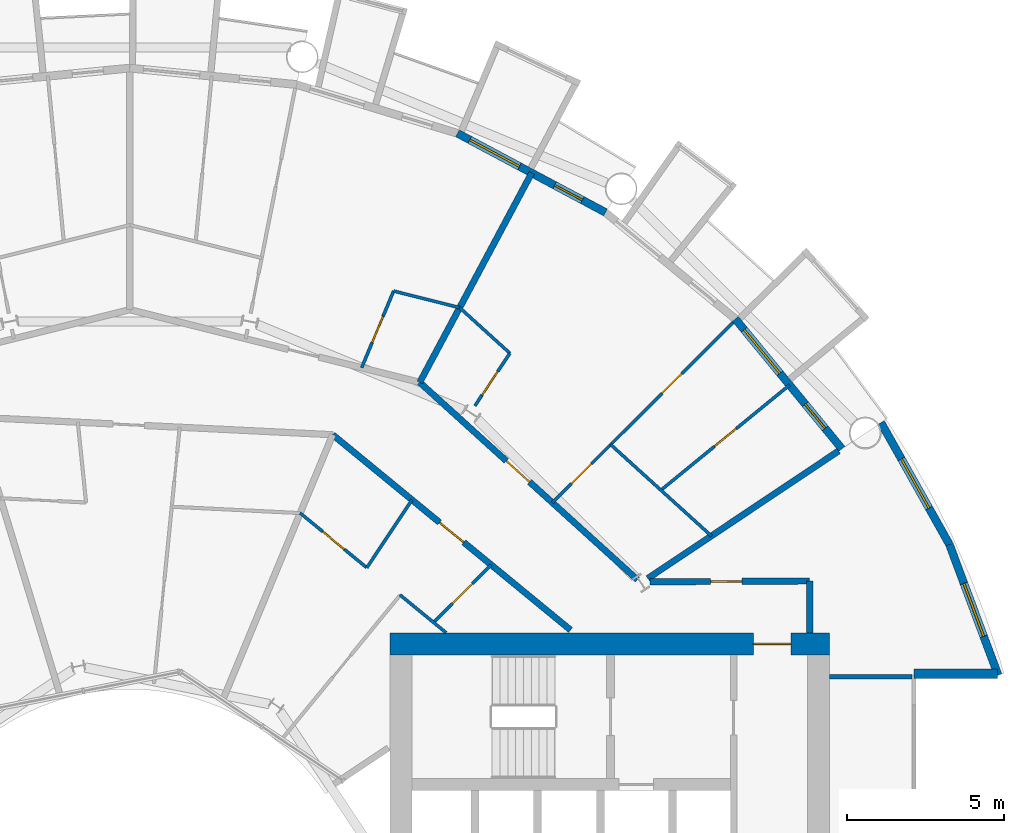
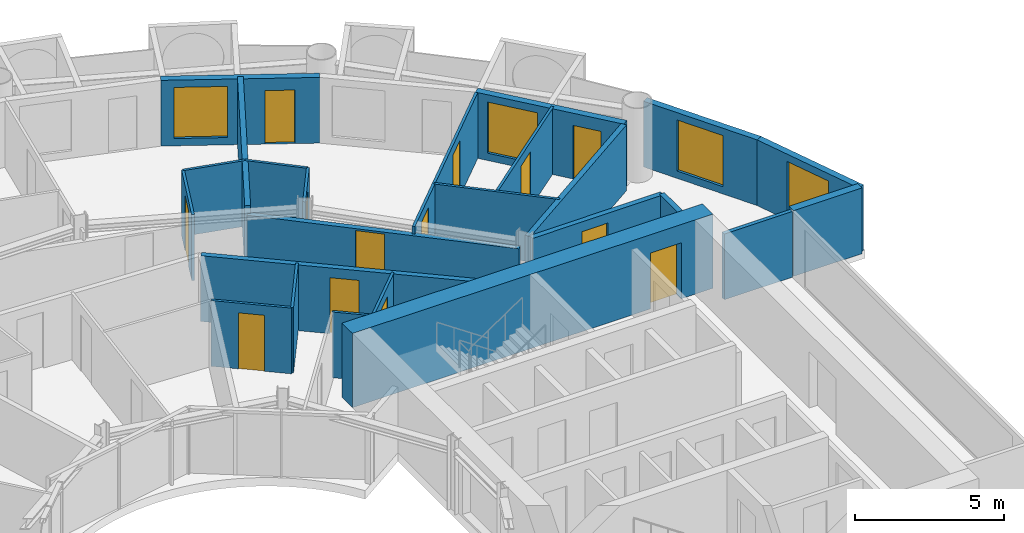
# One storey, part 21 of 26: 24 walls, 13 doors, 4 windows, 17 openings.
"""IFC4 building model written with IfcOpenShell, lengths in metres."""

from ifc_helpers import new_model, si_unit, direction, frame, frame_2d, origin, place, context, subcontext, project, spatial, rectangle, extrude, material, layer, layer_set, type_object, element, fill, save


model = new_model("IFC4")

# Units and contexts
model_context = context("Model", 3, precision=1e-05, world=origin(), true_north=direction((0.0, 1.0)))
body_context = subcontext(model_context, "Body", "Model", "MODEL_VIEW")
ifc_project = project(units=[si_unit("LENGTHUNIT", "METRE"), si_unit("AREAUNIT", "SQUARE_METRE"), si_unit("VOLUMEUNIT", "CUBIC_METRE"), si_unit("PLANEANGLEUNIT", "RADIAN"), si_unit("MASSUNIT", "GRAM", prefix="KILO")], contexts=[model_context])

# Site, building, storey
site_placement = place(None, origin())
site = spatial("IfcSite", under=ifc_project, at=site_placement, CompositionType="ELEMENT")
building_placement = place(site_placement, origin())
building = spatial("IfcBuilding", under=site, at=building_placement, Name="Maasbend Ring Residences", CompositionType="ELEMENT")
storey_placement = place(building_placement, frame((0.0, 0.0, 81.89990234375)))
storey = spatial("IfcBuildingStorey", under=building, at=storey_placement, Name="L23", CompositionType="ELEMENT", Elevation=81.89990234375)

# Wall, opening, door
ifc_material_1 = material(Name="Concrete C70/85", Category="concrete")
ifc_layer_1 = layer(ifc_material_1, 0.699951171875)
ifc_layer_set_1 = layer_set([ifc_layer_1], Name="Concrete C70/85")
wall_type_1 = type_object("IfcWallType", Name="CORE WALL 700 C70/85", PredefinedType="SHEAR", material=ifc_layer_set_1)
wall_1_placement = place(storey_placement, frame((22.300048828125, 8.949951171875, 0.0), z_axis=(0.0, 0.0, 1.0), x_axis=(-1.0, 0.0, 0.0)))
wall_1 = element("IfcWall", 1, at=wall_1_placement, inside=storey, type_object=wall_type_1, Name="L23 core E wall PN", PredefinedType="SHEAR", context=body_context, shape_type="SweptSolid", body=[
    extrude(rectangle(XDim=14.0, YDim=0.699951171875, at=frame_2d((7.0, 0.0))), origin(), (0.0, 0.0, 1.0), 3.050048828125),
])
opening_1_placement = place(wall_1_placement, frame((1.22509765625, 0.0, 0.0)))
opening_1 = element("IfcOpeningElement", 2, at=opening_1_placement, cuts=wall_1, Name="Opening D-E2315", PredefinedType="OPENING", context=body_context, shape_type="SweptSolid", body=[
    extrude(rectangle(XDim=1.199951171875, YDim=2.300048828125, at=frame_2d((0.60009765625, 1.14990234375))), frame((0.0, 0.35986328125, 0.0), z_axis=(0.0, -1.0, 0.0), x_axis=(1.0, 0.0, 0.0)), (0.0, 0.0, 1.0), 0.719970703125),
])
ifc_material_2 = material(Name="Steel, powder coated", Category="steel")
door_type_1 = type_object("IfcDoorType", Name="CORRIDOR DOOR 1200 X 2300 FD30S", OperationType="NOTDEFINED", PredefinedType="DOOR", material=ifc_material_2)
door_1_placement = place(opening_1_placement, origin())
door_1 = element("IfcDoor", 3, at=door_1_placement, inside=storey, type_object=door_type_1, Name="Corridor door L23", OperationType="SINGLE_SWING_RIGHT", OverallHeight=2.300048828125, OverallWidth=1.199951171875, PredefinedType="DOOR", context=body_context, shape_type="SweptSolid", body=[
    extrude(rectangle(XDim=1.199951171875, YDim=2.300048828125, at=frame_2d((0.60009765625, 1.14990234375))), frame((0.0, 0.02490234375, 0.0), z_axis=(0.0, -1.0, 0.0), x_axis=(1.0, 0.0, 0.0)), (0.0, 0.0, 1.0), 0.050048828125),
])
fill(opening_1, door_1)

# Wall
ifc_material_3 = material(Name="Concrete C30/37", Category="concrete")
ifc_layer_2 = layer(ifc_material_3, 0.199951171875)
ifc_layer_set_2 = layer_set([ifc_layer_2], Name="Concrete C30/37")
wall_type_2 = type_object("IfcWallType", Name="CORRIDOR WALL 200 CONCRETE", PredefinedType="PARTITIONING", material=ifc_layer_set_2)
wall_2_placement = place(storey_placement, frame((21.675048828125, 9.300048828125, 0.0), z_axis=(0.0, 0.0, 1.0), x_axis=(0.0, 1.0, 0.0)))
element("IfcWall", 4, at=wall_2_placement, inside=storey, type_object=wall_type_2, Name="U-L23-w002", PredefinedType="PARTITIONING", context=body_context, shape_type="SweptSolid", body=[
    extrude(rectangle(XDim=1.64990234375, YDim=0.199951171875, at=frame_2d((0.824951171875, 0.0))), origin(), (0.0, 0.0, 1.0), 2.7001953125),
])

# Wall, opening, door
wall_3_placement = place(storey_placement, frame((16.587890625, 10.925048828125, 0.0), z_axis=(0.0, 0.0, 1.0), x_axis=(0.999988019025, 0.004895079807, 0.0)))
wall_3 = element("IfcWall", 5, at=wall_3_placement, inside=storey, type_object=wall_type_2, Name="U-L23-w085", PredefinedType="PARTITIONING", context=body_context, shape_type="SweptSolid", body=[
    extrude(rectangle(XDim=5.087158203125, YDim=0.199951171875, at=frame_2d((2.54345703125, 0.0))), origin(), (0.0, 0.0, 1.0), 2.7001953125),
])
opening_2_placement = place(wall_3_placement, frame((1.925048828125, 0.0, 0.0)))
opening_2 = element("IfcOpeningElement", 6, at=opening_2_placement, cuts=wall_3, Name="Opening D-2368", PredefinedType="OPENING", context=body_context, shape_type="SweptSolid", body=[
    extrude(rectangle(XDim=1.0, YDim=2.300048828125, at=frame_2d((0.5, 1.14990234375))), frame((0.0, 0.10986328125, 0.0), z_axis=(0.0, -1.0, 0.0), x_axis=(1.0, 0.0, 0.0)), (0.0, 0.0, 1.0), 0.219970703125),
])
ifc_material_4 = material(Name="Timber, painted", Category="wood")
door_type_2 = type_object("IfcDoorType", Name="ROOM DOOR 1000 X 2300", OperationType="NOTDEFINED", PredefinedType="DOOR", material=ifc_material_4)
door_2_placement = place(opening_2_placement, origin())
door_2 = element("IfcDoor", 7, at=door_2_placement, inside=storey, type_object=door_type_2, Name="D-2368", OperationType="SINGLE_SWING_LEFT", OverallHeight=2.300048828125, OverallWidth=1.0, PredefinedType="DOOR", context=body_context, shape_type="SweptSolid", body=[
    extrude(rectangle(XDim=1.0, YDim=2.300048828125, at=frame_2d((0.5, 1.14990234375))), frame((0.0, 0.02490234375, 0.0), z_axis=(0.0, -1.0, 0.0), x_axis=(1.0, 0.0, 0.0)), (0.0, 0.0, 1.0), 0.050048828125),
])
fill(opening_2, door_2)

wall_4_placement = place(storey_placement, frame((6.469970703125, 15.613037109375, 0.0), z_axis=(0.0, 0.0, 1.0), x_axis=(0.77292501819, -0.634497372931, 0.0)))
wall_4 = element("IfcWall", 8, at=wall_4_placement, inside=storey, type_object=wall_type_2, Name="U-L23-w094", PredefinedType="PARTITIONING", context=body_context, shape_type="SweptSolid", body=[
    extrude(rectangle(XDim=9.8095703125, YDim=0.199951171875, at=frame_2d((4.90478515625, 0.0))), origin(), (0.0, 0.0, 1.0), 2.7001953125),
])
opening_3_placement = place(wall_4_placement, frame((4.404052734375, 0.0, 0.0)))
opening_3 = element("IfcOpeningElement", 9, at=opening_3_placement, cuts=wall_4, Name="Opening D-2321", PredefinedType="OPENING", context=body_context, shape_type="SweptSolid", body=[
    extrude(rectangle(XDim=1.0, YDim=2.300048828125, at=frame_2d((0.5, 1.14990234375))), frame((0.0, 0.10986328125, 0.0), z_axis=(0.0, -1.0, 0.0), x_axis=(1.0, 0.0, 0.0)), (0.0, 0.0, 1.0), 0.219970703125),
])
ifc_material_5 = material(Name="Timber, fire-rated, painted", Category="wood")
door_type_3 = type_object("IfcDoorType", Name="FLAT ENTRANCE DOOR 1000 X 2300 FIRE-RATED", OperationType="NOTDEFINED", PredefinedType="DOOR", material=ifc_material_5)
door_3_placement = place(opening_3_placement, origin())
door_3 = element("IfcDoor", 10, at=door_3_placement, inside=storey, type_object=door_type_3, Name="D-2321", OperationType="SINGLE_SWING_LEFT", OverallHeight=2.300048828125, OverallWidth=1.0, PredefinedType="DOOR", context=body_context, shape_type="SweptSolid", body=[
    extrude(rectangle(XDim=1.0, YDim=2.300048828125, at=frame_2d((0.5, 1.14990234375))), frame((0.0, 0.02490234375, 0.0), z_axis=(0.0, -1.0, 0.0), x_axis=(1.0, 0.0, 0.0)), (0.0, 0.0, 1.0), 0.050048828125),
])
fill(opening_3, door_3)

wall_5_placement = place(storey_placement, frame((9.239013671875, 17.285888671875, 0.0), z_axis=(0.0, 0.0, 1.0), x_axis=(0.740909940942, -0.671604392044, 0.0)))
wall_5 = element("IfcWall", 11, at=wall_5_placement, inside=storey, type_object=wall_type_2, Name="U-L23-w098", PredefinedType="PARTITIONING", context=body_context, shape_type="SweptSolid", body=[
    extrude(rectangle(XDim=9.36669921875, YDim=0.199951171875, at=frame_2d((4.683349609375, 0.0))), origin(), (0.0, 0.0, 1.0), 2.380126953125),
])
opening_4_placement = place(wall_5_placement, frame((3.73095703125, 0.0, 0.0)))
opening_4 = element("IfcOpeningElement", 12, at=opening_4_placement, cuts=wall_5, Name="Opening D-2301", PredefinedType="OPENING", context=body_context, shape_type="SweptSolid", body=[
    extrude(rectangle(XDim=1.0, YDim=2.300048828125, at=frame_2d((0.5, 1.14990234375))), frame((0.0, 0.10986328125, 0.0), z_axis=(0.0, -1.0, 0.0), x_axis=(1.0, 0.0, 0.0)), (0.0, 0.0, 1.0), 0.219970703125),
])
door_4_placement = place(opening_4_placement, origin())
door_4 = element("IfcDoor", 13, at=door_4_placement, inside=storey, type_object=door_type_3, Name="D-2301", OperationType="SINGLE_SWING_LEFT", OverallHeight=2.300048828125, OverallWidth=1.0, PredefinedType="DOOR", context=body_context, shape_type="SweptSolid", body=[
    extrude(rectangle(XDim=1.0, YDim=2.300048828125, at=frame_2d((0.5, 1.14990234375))), frame((0.0, 0.02490234375, 0.0), z_axis=(0.0, -1.0, 0.0), x_axis=(1.0, 0.0, 0.0)), (0.0, 0.0, 1.0), 0.050048828125),
])
fill(opening_4, door_4)

# Wall, openings, door, window
ifc_material_6 = material(Name="Aluminium clad insulated panel", Category="aluminium")
ifc_layer_3 = layer(ifc_material_6, 0.25)
ifc_layer_set_3 = layer_set([ifc_layer_3], Name="EW-GL")
wall_type_3 = type_object("IfcWallType", Name="EW-GL", PredefinedType="SOLIDWALL", material=ifc_layer_set_3)
wall_6_placement = place(storey_placement, frame((22.698974609375, 15.1669921875, 0.0), z_axis=(0.0, 0.0, 1.0), x_axis=(-0.634382322723, 0.773019449054, 0.0)))
wall_6 = element("IfcWall", 14, at=wall_6_placement, inside=storey, type_object=wall_type_3, Name="External wall N01", PredefinedType="SOLIDWALL", context=body_context, shape_type="SweptSolid", body=[
    extrude(rectangle(XDim=5.351806640625, YDim=0.25, at=frame_2d((2.67578125, 0.0))), origin(), (0.0, 0.0, 1.0), 2.7001953125),
])
opening_5_placement = place(wall_6_placement, frame((0.841064453125, 0.0, 0.0)))
opening_5 = element("IfcOpeningElement", 15, at=opening_5_placement, cuts=wall_6, Name="Opening D-LG", PredefinedType="OPENING", context=body_context, shape_type="SweptSolid", body=[
    extrude(rectangle(XDim=1.0, YDim=2.199951171875, at=frame_2d((0.5, 1.10009765625))), frame((0.0, 0.135009765625, 0.0), z_axis=(0.0, -1.0, 0.0), x_axis=(1.0, 0.0, 0.0)), (0.0, 0.0, 1.0), 0.27001953125),
])
opening_6_placement = place(wall_6_placement, frame((3.110595703125, 0.0, 0.300048828125)))
opening_6 = element("IfcOpeningElement", 16, at=opening_6_placement, cuts=wall_6, Name="Opening W-BX", PredefinedType="OPENING", context=body_context, shape_type="SweptSolid", body=[
    extrude(rectangle(XDim=1.800048828125, YDim=2.10009765625, at=frame_2d((0.89990234375, 1.050048828125))), frame((0.0, 0.135009765625, 0.0), z_axis=(0.0, -1.0, 0.0), x_axis=(1.0, 0.0, 0.0)), (0.0, 0.0, 1.0), 0.27001953125),
])
ifc_material_7 = material(Name="Aluminium and clear glass", Category="aluminium")
door_type_4 = type_object("IfcDoorType", Name="D-LG", OperationType="SINGLE_SWING_LEFT", PredefinedType="DOOR", material=ifc_material_7)
door_5_placement = place(opening_5_placement, origin())
door_5 = element("IfcDoor", 17, at=door_5_placement, inside=storey, type_object=door_type_4, Name="Loggia door N01", OperationType="SINGLE_SWING_LEFT", OverallHeight=2.199951171875, OverallWidth=1.0, PredefinedType="DOOR", context=body_context, shape_type="SweptSolid", body=[
    extrude(rectangle(XDim=1.0, YDim=2.199951171875, at=frame_2d((0.5, 1.10009765625))), frame((0.0, 0.02490234375, 0.0), z_axis=(0.0, -1.0, 0.0), x_axis=(1.0, 0.0, 0.0)), (0.0, 0.0, 1.0), 0.050048828125),
])
fill(opening_5, door_5)
ifc_material_8 = material(Name="Aluminium and clear glass", Category="aluminium")
window_type = type_object("IfcWindowType", Name="W-BX", PartitioningType="DOUBLE_PANEL_VERTICAL", PredefinedType="WINDOW", material=ifc_material_8)
window_1_placement = place(opening_6_placement, origin())
window_1 = element("IfcWindow", 18, at=window_1_placement, inside=storey, type_object=window_type, Name="Window N02 room to box", OverallHeight=2.10009765625, OverallWidth=1.800048828125, PartitioningType="SINGLE_PANEL", PredefinedType="WINDOW", context=body_context, shape_type="SweptSolid", body=[
    extrude(rectangle(XDim=1.800048828125, YDim=2.10009765625, at=frame_2d((0.89990234375, 1.050048828125))), frame((0.0, 0.030029296875, 0.0), z_axis=(0.0, -1.0, 0.0), x_axis=(1.0, 0.0, 0.0)), (0.0, 0.0, 1.0), 0.06005859375),
])
fill(opening_6, window_1)

wall_7_placement = place(storey_placement, frame((15.1669921875, 22.698974609375, 0.0), z_axis=(0.0, 0.0, 1.0), x_axis=(-0.881915646801, 0.471407246368, 0.0)))
wall_7 = element("IfcWall", 19, at=wall_7_placement, inside=storey, type_object=wall_type_3, Name="External wall N03", PredefinedType="SOLIDWALL", context=body_context, shape_type="SweptSolid", body=[
    extrude(rectangle(XDim=5.35205078125, YDim=0.25, at=frame_2d((2.676025390625, 0.0))), origin(), (0.0, 0.0, 1.0), 2.7001953125),
])
opening_7_placement = place(wall_7_placement, frame((0.841064453125, 0.0, 0.0)))
opening_7 = element("IfcOpeningElement", 20, at=opening_7_placement, cuts=wall_7, Name="Opening D-LG", PredefinedType="OPENING", context=body_context, shape_type="SweptSolid", body=[
    extrude(rectangle(XDim=1.0, YDim=2.199951171875, at=frame_2d((0.5, 1.10009765625))), frame((0.0, 0.135009765625, 0.0), z_axis=(0.0, -1.0, 0.0), x_axis=(1.0, 0.0, 0.0)), (0.0, 0.0, 1.0), 0.27001953125),
])
opening_8_placement = place(wall_7_placement, frame((3.110595703125, 0.0, 0.300048828125)))
opening_8 = element("IfcOpeningElement", 21, at=opening_8_placement, cuts=wall_7, Name="Opening W-BX", PredefinedType="OPENING", context=body_context, shape_type="SweptSolid", body=[
    extrude(rectangle(XDim=1.800048828125, YDim=2.10009765625, at=frame_2d((0.89990234375, 1.050048828125))), frame((0.0, 0.135009765625, 0.0), z_axis=(0.0, -1.0, 0.0), x_axis=(1.0, 0.0, 0.0)), (0.0, 0.0, 1.0), 0.27001953125),
])
door_6_placement = place(opening_7_placement, origin())
door_6 = element("IfcDoor", 22, at=door_6_placement, inside=storey, type_object=door_type_4, Name="Loggia door N05", OperationType="SINGLE_SWING_LEFT", OverallHeight=2.199951171875, OverallWidth=1.0, PredefinedType="DOOR", context=body_context, shape_type="SweptSolid", body=[
    extrude(rectangle(XDim=1.0, YDim=2.199951171875, at=frame_2d((0.5, 1.10009765625))), frame((0.0, 0.02490234375, 0.0), z_axis=(0.0, -1.0, 0.0), x_axis=(1.0, 0.0, 0.0)), (0.0, 0.0, 1.0), 0.050048828125),
])
fill(opening_7, door_6)
window_2_placement = place(opening_8_placement, origin())
window_2 = element("IfcWindow", 23, at=window_2_placement, inside=storey, type_object=window_type, Name="Window N06 room to box", OverallHeight=2.10009765625, OverallWidth=1.800048828125, PartitioningType="SINGLE_PANEL", PredefinedType="WINDOW", context=body_context, shape_type="SweptSolid", body=[
    extrude(rectangle(XDim=1.800048828125, YDim=2.10009765625, at=frame_2d((0.89990234375, 1.050048828125))), frame((0.0, 0.030029296875, 0.0), z_axis=(0.0, -1.0, 0.0), x_axis=(1.0, 0.0, 0.0)), (0.0, 0.0, 1.0), 0.06005859375),
])
fill(opening_8, window_2)

# Wall, opening, window
ifc_material_9 = material(Name="Aluminium clad insulated panel", Category="aluminium")
ifc_layer_4 = layer(ifc_material_9, 0.25)
ifc_layer_set_4 = layer_set([ifc_layer_4], Name="EW-HORN")
wall_type_4 = type_object("IfcWallType", Name="EW-HORN", PredefinedType="SOLIDWALL", material=ifc_layer_set_4)
wall_8_placement = place(storey_placement, frame((27.681884765625, 7.945068359375, 0.0), z_axis=(0.0, 0.0, 1.0), x_axis=(-0.349247811493, 0.937030397675, 0.0)))
wall_8 = element("IfcWall", 24, at=wall_8_placement, inside=storey, type_object=wall_type_4, Name="Horn wall 1.1", PredefinedType="SOLIDWALL", context=body_context, shape_type="SweptSolid", body=[
    extrude(rectangle(XDim=4.4521484375, YDim=0.25, at=frame_2d((2.22607421875, 0.0))), origin(), (0.0, 0.0, 1.0), 2.7001953125),
])
opening_9_placement = place(wall_8_placement, frame((1.32666015625, 0.0, 0.300048828125)))
opening_9 = element("IfcOpeningElement", 25, at=opening_9_placement, cuts=wall_8, Name="Opening W-BX", PredefinedType="OPENING", context=body_context, shape_type="SweptSolid", body=[
    extrude(rectangle(XDim=1.800048828125, YDim=2.10009765625, at=frame_2d((0.89990234375, 1.050048828125))), frame((0.0, 0.135009765625, 0.0), z_axis=(0.0, -1.0, 0.0), x_axis=(1.0, 0.0, 0.0)), (0.0, 0.0, 1.0), 0.27001953125),
])
window_3_placement = place(opening_9_placement, origin())
window_3 = element("IfcWindow", 26, at=window_3_placement, inside=storey, type_object=window_type, Name="Horn window 1.1", OverallHeight=2.10009765625, OverallWidth=1.800048828125, PartitioningType="SINGLE_PANEL", PredefinedType="WINDOW", context=body_context, shape_type="SweptSolid", body=[
    extrude(rectangle(XDim=1.800048828125, YDim=2.10009765625, at=frame_2d((0.89990234375, 1.050048828125))), frame((0.0, 0.030029296875, 0.0), z_axis=(0.0, -1.0, 0.0), x_axis=(1.0, 0.0, 0.0)), (0.0, 0.0, 1.0), 0.06005859375),
])
fill(opening_9, window_3)

wall_9_placement = place(storey_placement, frame((26.126953125, 12.116943359375, 0.0), z_axis=(0.0, 0.0, 1.0), x_axis=(-0.489696356642, 0.871893042919, 0.0)))
wall_9 = element("IfcWall", 27, at=wall_9_placement, inside=storey, type_object=wall_type_4, Name="Horn wall 1.2", PredefinedType="SOLIDWALL", context=body_context, shape_type="SweptSolid", body=[
    extrude(rectangle(XDim=4.45361328125, YDim=0.25, at=frame_2d((2.226806640625, 0.0))), origin(), (0.0, 0.0, 1.0), 2.7001953125),
])
opening_10_placement = place(wall_9_placement, frame((1.32666015625, 0.0, 0.300048828125)))
opening_10 = element("IfcOpeningElement", 28, at=opening_10_placement, cuts=wall_9, Name="Opening W-BX", PredefinedType="OPENING", context=body_context, shape_type="SweptSolid", body=[
    extrude(rectangle(XDim=1.800048828125, YDim=2.10009765625, at=frame_2d((0.89990234375, 1.050048828125))), frame((0.0, 0.135009765625, 0.0), z_axis=(0.0, -1.0, 0.0), x_axis=(1.0, 0.0, 0.0)), (0.0, 0.0, 1.0), 0.27001953125),
])
window_4_placement = place(opening_10_placement, origin())
window_4 = element("IfcWindow", 29, at=window_4_placement, inside=storey, type_object=window_type, Name="Horn window 1.2", OverallHeight=2.10009765625, OverallWidth=1.800048828125, PartitioningType="SINGLE_PANEL", PredefinedType="WINDOW", context=body_context, shape_type="SweptSolid", body=[
    extrude(rectangle(XDim=1.800048828125, YDim=2.10009765625, at=frame_2d((0.89990234375, 1.050048828125))), frame((0.0, 0.030029296875, 0.0), z_axis=(0.0, -1.0, 0.0), x_axis=(1.0, 0.0, 0.0)), (0.0, 0.0, 1.0), 0.06005859375),
])
fill(opening_10, window_4)

# Wall
ifc_material_10 = material(Name="Aluminium clad insulated panel", Category="aluminium")
ifc_layer_5 = layer(ifc_material_10, 0.300048828125)
ifc_layer_set_5 = layer_set([ifc_layer_5], Name="EW-RET")
wall_type_5 = type_object("IfcWallType", Name="EW-RET", PredefinedType="SOLIDWALL", material=ifc_layer_set_5)
wall_10_placement = place(storey_placement, frame((25.0, 8.0, 0.0), z_axis=(0.0, 0.0, 1.0), x_axis=(1.0, 0.0, 0.0)))
element("IfcWall", 30, at=wall_10_placement, inside=storey, type_object=wall_type_5, Name="Notch return wall east north", PredefinedType="SOLIDWALL", context=body_context, shape_type="SweptSolid", body=[
    extrude(rectangle(XDim=2.6669921875, YDim=0.300048828125, at=frame_2d((1.33349609375, 0.0))), origin(), (0.0, 0.0, 1.0), 2.7001953125),
])

# Wall, opening, door
ifc_material_11 = material(Name="Gypsum board on steel studs", Category="steel")
ifc_layer_6 = layer(ifc_material_11, 0.10009765625)
ifc_layer_set_6 = layer_set([ifc_layer_6], Name="PARTITION 100 GYPSUM")
wall_type_6 = type_object("IfcWallType", Name="PARTITION 100 GYPSUM", PredefinedType="PARTITIONING", material=ifc_layer_set_6)
wall_11_placement = place(storey_placement, frame((7.39208984375, 17.7490234375, 0.0), z_axis=(0.0, 0.0, 1.0), x_axis=(0.384438589316, 0.923150567917, 0.0)))
wall_11 = element("IfcWall", 31, at=wall_11_placement, inside=storey, type_object=wall_type_6, Name="U-L23-w066", PredefinedType="PARTITIONING", context=body_context, shape_type="SweptSolid", body=[
    extrude(rectangle(XDim=2.6474609375, YDim=0.10009765625, at=frame_2d((1.32373046875, 0.0))), origin(), (0.0, 0.0, 1.0), 2.7001953125),
])
opening_11_placement = place(wall_11_placement, frame((0.8740234375, 0.0, 0.0)))
opening_11 = element("IfcOpeningElement", 32, at=opening_11_placement, cuts=wall_11, Name="Opening D-2307", PredefinedType="OPENING", context=body_context, shape_type="SweptSolid", body=[
    extrude(rectangle(XDim=0.89990234375, YDim=2.300048828125, at=frame_2d((0.449951171875, 1.14990234375))), frame((0.0, 0.06005859375, 0.0), z_axis=(0.0, -1.0, 0.0), x_axis=(1.0, 0.0, 0.0)), (0.0, 0.0, 1.0), 0.1201171875),
])
ifc_material_12 = material(Name="Timber, painted", Category="wood")
door_type_5 = type_object("IfcDoorType", Name="INTERNAL DOOR 900 X 2300", OperationType="NOTDEFINED", PredefinedType="DOOR", material=ifc_material_12)
door_7_placement = place(opening_11_placement, origin())
door_7 = element("IfcDoor", 33, at=door_7_placement, inside=storey, type_object=door_type_5, Name="D-2307", OperationType="SINGLE_SWING_RIGHT", OverallHeight=2.300048828125, OverallWidth=0.89990234375, PredefinedType="DOOR", context=body_context, shape_type="SweptSolid", body=[
    extrude(rectangle(XDim=0.89990234375, YDim=2.300048828125, at=frame_2d((0.449951171875, 1.14990234375))), frame((0.0, 0.02490234375, 0.0), z_axis=(0.0, -1.0, 0.0), x_axis=(1.0, 0.0, 0.0)), (0.0, 0.0, 1.0), 0.050048828125),
])
fill(opening_11, door_7)

# Wall
wall_12_placement = place(storey_placement, frame((7.55810546875, 11.3759765625, 0.0), z_axis=(0.0, 0.0, 1.0), x_axis=(0.553615197403, 0.83277260594, 0.0)))
element("IfcWall", 34, at=wall_12_placement, inside=storey, type_object=wall_type_6, Name="U-L23-w068", PredefinedType="PARTITIONING", context=body_context, shape_type="SweptSolid", body=[
    extrude(rectangle(XDim=2.597412109375, YDim=0.10009765625, at=frame_2d((1.298828125, 0.0))), origin(), (0.0, 0.0, 1.0), 2.7001953125),
])

# Wall, opening, door
wall_13_placement = place(storey_placement, frame((9.68310546875, 9.632080078125, 0.0), z_axis=(0.0, 0.0, 1.0), x_axis=(0.708796844581, 0.705412668665, 0.0)))
wall_13 = element("IfcWall", 35, at=wall_13_placement, inside=storey, type_object=wall_type_6, Name="U-L23-w073", PredefinedType="PARTITIONING", context=body_context, shape_type="SweptSolid", body=[
    extrude(rectangle(XDim=2.59716796875, YDim=0.10009765625, at=frame_2d((1.298583984375, 0.0))), origin(), (0.0, 0.0, 1.0), 2.7001953125),
])
opening_12_placement = place(wall_13_placement, frame((0.84912109375, 0.0, 0.0)))
opening_12 = element("IfcOpeningElement", 36, at=opening_12_placement, cuts=wall_13, Name="Opening D-2323", PredefinedType="OPENING", context=body_context, shape_type="SweptSolid", body=[
    extrude(rectangle(XDim=0.89990234375, YDim=2.300048828125, at=frame_2d((0.449951171875, 1.14990234375))), frame((0.0, 0.06005859375, 0.0), z_axis=(0.0, -1.0, 0.0), x_axis=(1.0, 0.0, 0.0)), (0.0, 0.0, 1.0), 0.1201171875),
])
door_8_placement = place(opening_12_placement, origin())
door_8 = element("IfcDoor", 37, at=door_8_placement, inside=storey, type_object=door_type_5, Name="D-2323", OperationType="SINGLE_SWING_LEFT", OverallHeight=2.300048828125, OverallWidth=0.89990234375, PredefinedType="DOOR", context=body_context, shape_type="SweptSolid", body=[
    extrude(rectangle(XDim=0.89990234375, YDim=2.300048828125, at=frame_2d((0.449951171875, 1.14990234375))), frame((0.0, 0.02490234375, 0.0), z_axis=(0.0, -1.0, 0.0), x_axis=(1.0, 0.0, 0.0)), (0.0, 0.0, 1.0), 0.050048828125),
])
fill(opening_12, door_8)

wall_14_placement = place(storey_placement, frame((11.0029296875, 16.535888671875, 0.0), z_axis=(0.0, 0.0, 1.0), x_axis=(0.554112076035, 0.832442074376, 0.0)))
wall_14 = element("IfcWall", 38, at=wall_14_placement, inside=storey, type_object=wall_type_6, Name="U-L23-w074", PredefinedType="PARTITIONING", context=body_context, shape_type="SweptSolid", body=[
    extrude(rectangle(XDim=2.01220703125, YDim=0.10009765625, at=frame_2d((1.006103515625, 0.0))), origin(), (0.0, 0.0, 1.0), 2.7001953125),
])
opening_13_placement = place(wall_14_placement, frame((0.4140625, 0.0, 0.0)))
opening_13 = element("IfcOpeningElement", 39, at=opening_13_placement, cuts=wall_14, Name="Opening D-2302", PredefinedType="OPENING", context=body_context, shape_type="SweptSolid", body=[
    extrude(rectangle(XDim=0.89990234375, YDim=2.300048828125, at=frame_2d((0.449951171875, 1.14990234375))), frame((0.0, 0.06005859375, 0.0), z_axis=(0.0, -1.0, 0.0), x_axis=(1.0, 0.0, 0.0)), (0.0, 0.0, 1.0), 0.1201171875),
])
door_9_placement = place(opening_13_placement, origin())
door_9 = element("IfcDoor", 40, at=door_9_placement, inside=storey, type_object=door_type_5, Name="D-2302", OperationType="SINGLE_SWING_LEFT", OverallHeight=2.300048828125, OverallWidth=0.89990234375, PredefinedType="DOOR", context=body_context, shape_type="SweptSolid", body=[
    extrude(rectangle(XDim=0.89990234375, YDim=2.300048828125, at=frame_2d((0.449951171875, 1.14990234375))), frame((0.0, 0.02490234375, 0.0), z_axis=(0.0, -1.0, 0.0), x_axis=(1.0, 0.0, 0.0)), (0.0, 0.0, 1.0), 0.050048828125),
])
fill(opening_13, door_9)

# Wall, openings, doors
wall_15_placement = place(storey_placement, frame((13.47412109375, 13.447998046875, 0.0), z_axis=(0.0, 0.0, 1.0), x_axis=(0.707766479207, 0.706446467123, 0.0)))
wall_15 = element("IfcWall", 41, at=wall_15_placement, inside=storey, type_object=wall_type_6, Name="U-L23-w077", PredefinedType="PARTITIONING", context=body_context, shape_type="SweptSolid", body=[
    extrude(rectangle(XDim=8.137939453125, YDim=0.10009765625, at=frame_2d((4.06884765625, 0.0))), origin(), (0.0, 0.0, 1.0), 2.7001953125),
])
opening_14_placement = place(wall_15_placement, frame((0.861083984375, 0.0, 0.0)))
opening_14 = element("IfcOpeningElement", 42, at=opening_14_placement, cuts=wall_15, Name="Opening D-2303", PredefinedType="OPENING", context=body_context, shape_type="SweptSolid", body=[
    extrude(rectangle(XDim=0.89990234375, YDim=2.300048828125, at=frame_2d((0.449951171875, 1.14990234375))), frame((0.0, 0.06005859375, 0.0), z_axis=(0.0, -1.0, 0.0), x_axis=(1.0, 0.0, 0.0)), (0.0, 0.0, 1.0), 0.1201171875),
])
opening_15_placement = place(wall_15_placement, frame((4.930908203125, 0.0, 0.0)))
opening_15 = element("IfcOpeningElement", 43, at=opening_15_placement, cuts=wall_15, Name="Opening D-2304", PredefinedType="OPENING", context=body_context, shape_type="SweptSolid", body=[
    extrude(rectangle(XDim=0.89990234375, YDim=2.300048828125, at=frame_2d((0.449951171875, 1.14990234375))), frame((0.0, 0.06005859375, 0.0), z_axis=(0.0, -1.0, 0.0), x_axis=(1.0, 0.0, 0.0)), (0.0, 0.0, 1.0), 0.1201171875),
])
door_10_placement = place(opening_14_placement, origin())
door_10 = element("IfcDoor", 44, at=door_10_placement, inside=storey, type_object=door_type_5, Name="D-2303", OperationType="SINGLE_SWING_LEFT", OverallHeight=2.300048828125, OverallWidth=0.89990234375, PredefinedType="DOOR", context=body_context, shape_type="SweptSolid", body=[
    extrude(rectangle(XDim=0.89990234375, YDim=2.300048828125, at=frame_2d((0.449951171875, 1.14990234375))), frame((0.0, 0.02490234375, 0.0), z_axis=(0.0, -1.0, 0.0), x_axis=(1.0, 0.0, 0.0)), (0.0, 0.0, 1.0), 0.050048828125),
])
fill(opening_14, door_10)
door_11_placement = place(opening_15_placement, origin())
door_11 = element("IfcDoor", 45, at=door_11_placement, inside=storey, type_object=door_type_5, Name="D-2304", OperationType="SINGLE_SWING_RIGHT", OverallHeight=2.300048828125, OverallWidth=0.89990234375, PredefinedType="DOOR", context=body_context, shape_type="SweptSolid", body=[
    extrude(rectangle(XDim=0.89990234375, YDim=2.300048828125, at=frame_2d((0.449951171875, 1.14990234375))), frame((0.0, 0.02490234375, 0.0), z_axis=(0.0, -1.0, 0.0), x_axis=(1.0, 0.0, 0.0)), (0.0, 0.0, 1.0), 0.050048828125),
])
fill(opening_15, door_11)

# Wall, opening, door
wall_16_placement = place(storey_placement, frame((16.93310546875, 13.847900390625, 0.0), z_axis=(0.0, 0.0, 1.0), x_axis=(0.774219894911, 0.632916704097, 0.0)))
wall_16 = element("IfcWall", 46, at=wall_16_placement, inside=storey, type_object=wall_type_6, Name="U-L23-w081", PredefinedType="PARTITIONING", context=body_context, shape_type="SweptSolid", body=[
    extrude(rectangle(XDim=5.30078125, YDim=0.10009765625, at=frame_2d((2.650390625, 0.0))), origin(), (0.0, 0.0, 1.0), 2.7001953125),
])
opening_16_placement = place(wall_16_placement, frame((2.200927734375, 0.0, 0.0)))
opening_16 = element("IfcOpeningElement", 47, at=opening_16_placement, cuts=wall_16, Name="Opening D-2305", PredefinedType="OPENING", context=body_context, shape_type="SweptSolid", body=[
    extrude(rectangle(XDim=0.89990234375, YDim=2.300048828125, at=frame_2d((0.449951171875, 1.14990234375))), frame((0.0, 0.06005859375, 0.0), z_axis=(0.0, -1.0, 0.0), x_axis=(1.0, 0.0, 0.0)), (0.0, 0.0, 1.0), 0.1201171875),
])
door_12_placement = place(opening_16_placement, origin())
door_12 = element("IfcDoor", 48, at=door_12_placement, inside=storey, type_object=door_type_5, Name="D-2305", OperationType="SINGLE_SWING_RIGHT", OverallHeight=2.300048828125, OverallWidth=0.89990234375, PredefinedType="DOOR", context=body_context, shape_type="SweptSolid", body=[
    extrude(rectangle(XDim=0.89990234375, YDim=2.300048828125, at=frame_2d((0.449951171875, 1.14990234375))), frame((0.0, 0.02490234375, 0.0), z_axis=(0.0, -1.0, 0.0), x_axis=(1.0, 0.0, 0.0)), (0.0, 0.0, 1.0), 0.050048828125),
])
fill(opening_16, door_12)

wall_17_placement = place(storey_placement, frame((5.427001953125, 13.12109375, 0.0), z_axis=(0.0, 0.0, 1.0), x_axis=(0.773323547924, -0.634011585246, 0.0)))
wall_17 = element("IfcWall", 49, at=wall_17_placement, inside=storey, type_object=wall_type_6, Name="U-L23-w090", PredefinedType="PARTITIONING", context=body_context, shape_type="SweptSolid", body=[
    extrude(rectangle(XDim=2.747802734375, YDim=0.10009765625, at=frame_2d((1.3740234375, 0.0))), origin(), (0.0, 0.0, 1.0), 2.7001953125),
])
opening_17_placement = place(wall_17_placement, frame((0.929931640625, 0.0, 0.0)))
opening_17 = element("IfcOpeningElement", 50, at=opening_17_placement, cuts=wall_17, Name="Opening D-2322", PredefinedType="OPENING", context=body_context, shape_type="SweptSolid", body=[
    extrude(rectangle(XDim=0.89990234375, YDim=2.300048828125, at=frame_2d((0.449951171875, 1.14990234375))), frame((0.0, 0.06005859375, 0.0), z_axis=(0.0, -1.0, 0.0), x_axis=(1.0, 0.0, 0.0)), (0.0, 0.0, 1.0), 0.1201171875),
])
door_13_placement = place(opening_17_placement, origin())
door_13 = element("IfcDoor", 51, at=door_13_placement, inside=storey, type_object=door_type_5, Name="D-2322", OperationType="SINGLE_SWING_RIGHT", OverallHeight=2.300048828125, OverallWidth=0.89990234375, PredefinedType="DOOR", context=body_context, shape_type="SweptSolid", body=[
    extrude(rectangle(XDim=0.89990234375, YDim=2.300048828125, at=frame_2d((0.449951171875, 1.14990234375))), frame((0.0, 0.02490234375, 0.0), z_axis=(0.0, -1.0, 0.0), x_axis=(1.0, 0.0, 0.0)), (0.0, 0.0, 1.0), 0.050048828125),
])
fill(opening_17, door_13)

# Walls
wall_18_placement = place(storey_placement, frame((8.614013671875, 10.509033203125, 0.0), z_axis=(0.0, 0.0, 1.0), x_axis=(0.772957368531, -0.6344579627, 0.0)))
element("IfcWall", 52, at=wall_18_placement, inside=storey, type_object=wall_type_6, Name="U-L23-w091", PredefinedType="PARTITIONING", context=body_context, shape_type="SweptSolid", body=[
    extrude(rectangle(XDim=1.905517578125, YDim=0.10009765625, at=frame_2d((0.95263671875, 0.0))), origin(), (0.0, 0.0, 1.0), 2.7001953125),
])
wall_19_placement = place(storey_placement, frame((8.409912109375, 20.193115234375, 0.0), z_axis=(0.0, 0.0, 1.0), x_axis=(0.970076188308, -0.242800718444, 0.0)))
element("IfcWall", 53, at=wall_19_placement, inside=storey, type_object=wall_type_6, Name="U-L23-w104", PredefinedType="PARTITIONING", context=body_context, shape_type="SweptSolid", body=[
    extrude(rectangle(XDim=2.1669921875, YDim=0.10009765625, at=frame_2d((1.08349609375, 0.0))), origin(), (0.0, 0.0, 1.0), 2.7001953125),
])
wall_20_placement = place(storey_placement, frame((10.511962890625, 19.6669921875, 0.0), z_axis=(0.0, 0.0, 1.0), x_axis=(0.740836325503, -0.671685595212, 0.0)))
element("IfcWall", 54, at=wall_20_placement, inside=storey, type_object=wall_type_6, Name="U-L23-w105", PredefinedType="PARTITIONING", context=body_context, shape_type="SweptSolid", body=[
    extrude(rectangle(XDim=2.167724609375, YDim=0.10009765625, at=frame_2d((1.083984375, 0.0))), origin(), (0.0, 0.0, 1.0), 2.7001953125),
])
wall_21_placement = place(storey_placement, frame((15.33203125, 15.297119140625, 0.0), z_axis=(0.0, 0.0, 1.0), x_axis=(0.740836325503, -0.671685595212, 0.0)))
element("IfcWall", 55, at=wall_21_placement, inside=storey, type_object=wall_type_6, Name="U-L23-w106", PredefinedType="PARTITIONING", context=body_context, shape_type="SweptSolid", body=[
    extrude(rectangle(XDim=4.33544921875, YDim=0.10009765625, at=frame_2d((2.167724609375, 0.0))), origin(), (0.0, 0.0, 1.0), 2.7001953125),
])
ifc_material_13 = material(Name="Gypsum board on steel studs", Category="steel")
ifc_layer_7 = layer(ifc_material_13, 0.14990234375)
ifc_layer_set_7 = layer_set([ifc_layer_7], Name="PARTITION 150 EI 60")
wall_type_7 = type_object("IfcWallType", Name="PARTITION 150 EI 60", PredefinedType="PARTITIONING", material=ifc_layer_set_7)
wall_22_placement = place(storey_placement, frame((22.300048828125, 7.89990234375, 0.0), z_axis=(0.0, 0.0, 1.0), x_axis=(1.0, 0.0, 0.0)))
element("IfcWall", 56, at=wall_22_placement, inside=storey, type_object=wall_type_7, Name="L23 core E wall CITN", PredefinedType="PARTITIONING", context=body_context, shape_type="SweptSolid", body=[
    extrude(rectangle(XDim=2.639892578125, YDim=0.14990234375, at=frame_2d((1.31982421875, 0.0))), origin(), (0.0, 0.0, 1.0), 2.7001953125),
])
ifc_material_14 = material(Name="Concrete C30/37", Category="concrete")
ifc_layer_8 = layer(ifc_material_14, 0.199951171875)
ifc_layer_set_8 = layer_set([ifc_layer_8], Name="Concrete C30/37")
wall_type_8 = type_object("IfcWallType", Name="PARTY WALL 200 CONCRETE", PredefinedType="PARTITIONING", material=ifc_layer_set_8)
wall_23_placement = place(storey_placement, frame((9.243896484375, 17.283935546875, 0.0), z_axis=(0.0, 0.0, 1.0), x_axis=(0.471506520577, 0.881862574925, 0.0)))
element("IfcWall", 57, at=wall_23_placement, inside=storey, type_object=wall_type_8, Name="U-L23-w071", PredefinedType="PARTITIONING", context=body_context, shape_type="SweptSolid", body=[
    extrude(rectangle(XDim=7.57373046875, YDim=0.199951171875, at=frame_2d((3.786865234375, 0.0))), origin(), (0.0, 0.0, 1.0), 2.7001953125),
])
wall_24_placement = place(storey_placement, frame((16.514892578125, 11.033935546875, 0.0), z_axis=(0.0, 0.0, 1.0), x_axis=(0.831382022135, 0.555701298605, 0.0)))
element("IfcWall", 58, at=wall_24_placement, inside=storey, type_object=wall_type_8, Name="U-L23-w080", PredefinedType="PARTITIONING", context=body_context, shape_type="SweptSolid", body=[
    extrude(rectangle(XDim=7.313232421875, YDim=0.199951171875, at=frame_2d((3.65673828125, 0.0))), origin(), (0.0, 0.0, 1.0), 2.7001953125),
])

save(model, "model.ifc")
